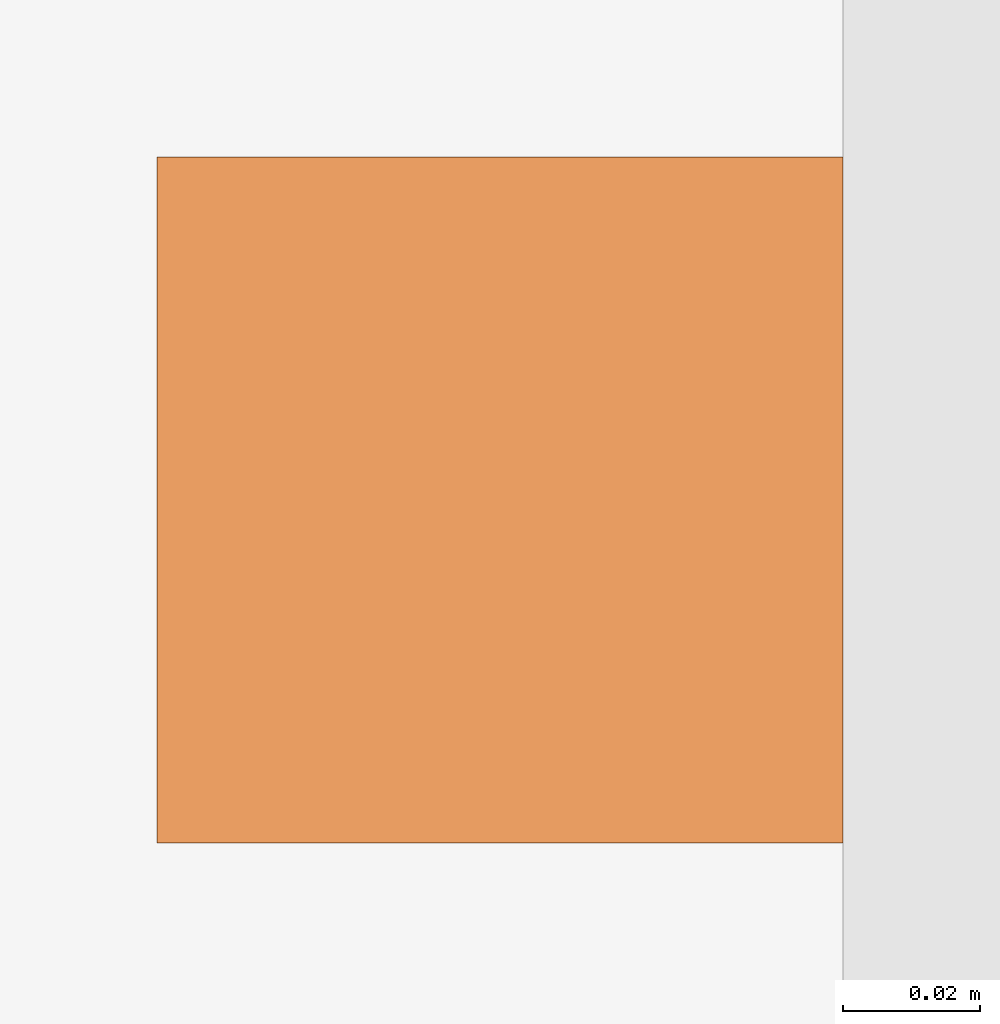
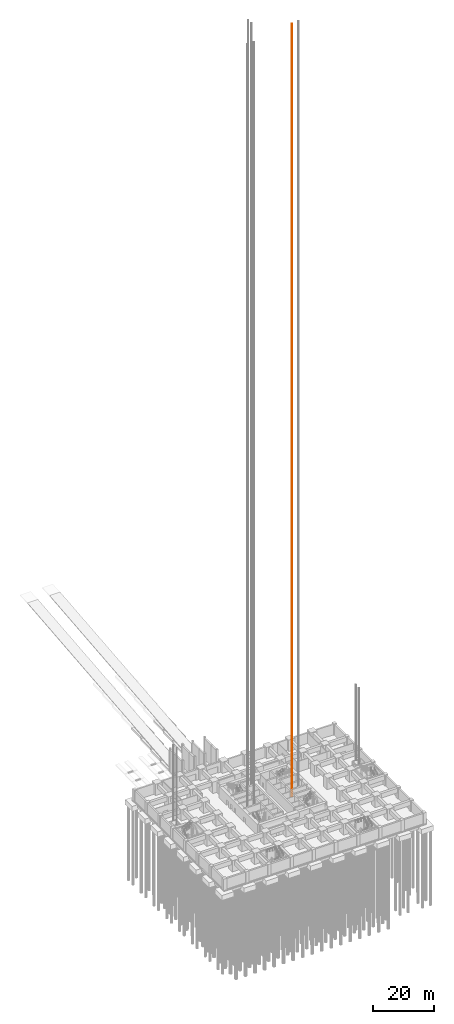
# One storey, part 24 of 28: 1 proxy.
"""IFC4 building model written with IfcOpenShell, lengths in metres."""

from ifc_helpers import new_model, si_unit, direction, frame, origin, origin_2d, place, context, subcontext, project, spatial, rectangle, extrude, material, type_object, element, save


model = new_model("IFC4")

# Units and contexts
model_context = context("Model", 3, precision=1e-05, world=origin(), true_north=direction((0.0, 1.0)))
body_context = subcontext(model_context, "Body", "Model", "MODEL_VIEW")
ifc_project = project(units=[si_unit("LENGTHUNIT", "METRE"), si_unit("AREAUNIT", "SQUARE_METRE"), si_unit("VOLUMEUNIT", "CUBIC_METRE"), si_unit("PLANEANGLEUNIT", "RADIAN"), si_unit("MASSUNIT", "GRAM", prefix="KILO")], contexts=[model_context])

# Site, building, storey
site_placement = place(None, origin())
site = spatial("IfcSite", under=ifc_project, at=site_placement, CompositionType="ELEMENT")
building_placement = place(site_placement, origin())
building = spatial("IfcBuilding", under=site, at=building_placement, Name="Rekha Terrace Tower", CompositionType="ELEMENT")
storey_placement = place(building_placement, frame((0.0, 0.0, -9.89990234375)))
storey = spatial("IfcBuildingStorey", under=building, at=storey_placement, Name="B-02", CompositionType="ELEMENT", Elevation=-9.89990234375)

# Proxy
ifc_material = material(Name="Steel guide rail", Category="steel")
building_element_proxy_type = type_object("IfcBuildingElementProxyType", Name="LR1 100 lift guide rail", PredefinedType="ELEMENT", material=ifc_material)
proxy_placement = place(storey_placement, frame((45.85009765625, 35.050048828125, 0.0), z_axis=(0.0, 0.0, 1.0), x_axis=(1.0, 0.0, 0.0)))
element("IfcBuildingElementProxy", 1, at=proxy_placement, inside=storey, type_object=building_element_proxy_type, Name="Lift FL2 guide rail 1", PredefinedType="ELEMENT", context=body_context, shape_type="SweptSolid", body=[
    extrude(rectangle(XDim=0.10009765625, YDim=0.10009765625, at=origin_2d()), origin(), (0.0, 0.0, 1.0), 309.050048828125),
])

save(model, "model.ifc")
